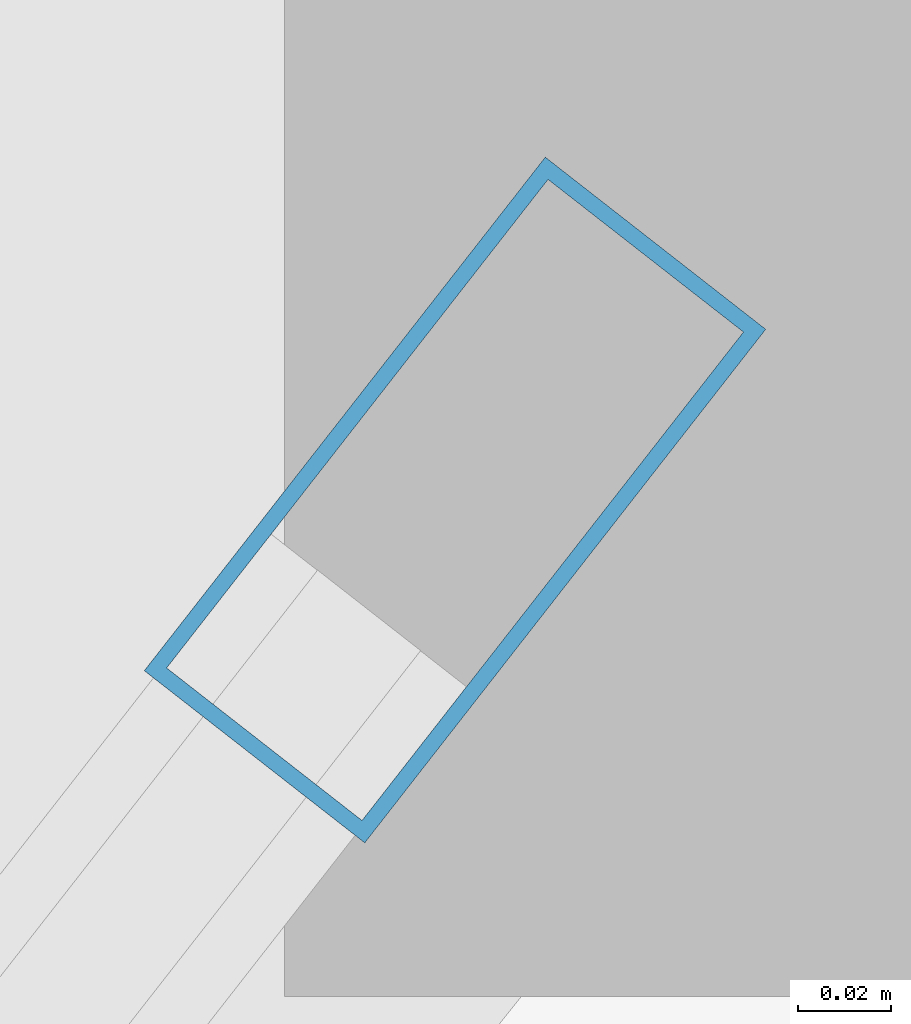
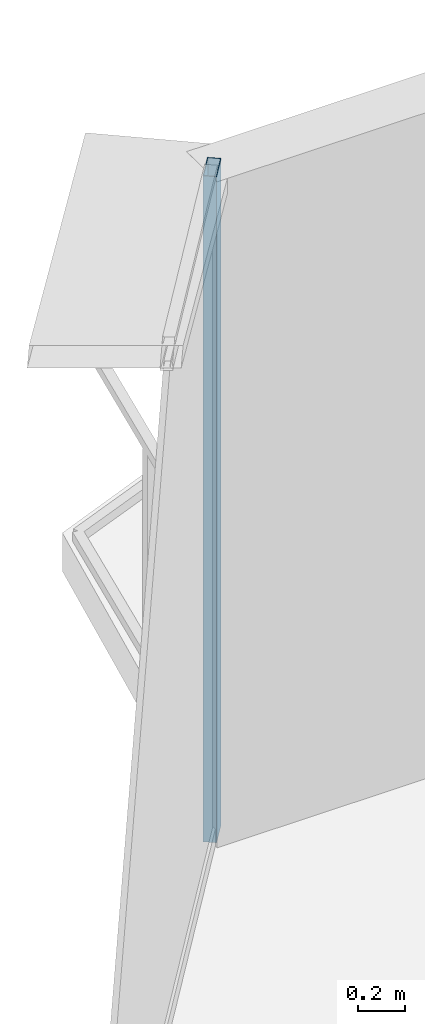
# One storey, part 21 of 37: 1 member, 1 element without a shape of its own.
"""IFC4 building model written with IfcOpenShell, lengths in metres."""

from ifc_helpers import new_model, si_unit, direction, frame, origin, origin_2d, place, context, subcontext, project, spatial, hollow_rectangle, extrude, source, transform, mapped, material, layer, layer_set, material_profile, profile_set, type_object, element, aggregate, save


model = new_model("IFC4")

# Units and contexts
model_context = context("Model", 3, precision=1e-05, world=origin(), true_north=direction((0.0, 1.0)))
body_context = subcontext(model_context, "Body", "Model", "MODEL_VIEW")
ifc_project = project(units=[si_unit("LENGTHUNIT", "METRE"), si_unit("AREAUNIT", "SQUARE_METRE"), si_unit("VOLUMEUNIT", "CUBIC_METRE"), si_unit("PLANEANGLEUNIT", "RADIAN"), si_unit("MASSUNIT", "GRAM", prefix="KILO"), si_unit("THERMODYNAMICTEMPERATUREUNIT", "KELVIN"), si_unit("POWERUNIT", "WATT")], contexts=[model_context])

# Site, building, storey
site_placement = place(None, origin())
site = spatial("IfcSite", under=ifc_project, at=site_placement, CompositionType="ELEMENT")
building_placement = place(site_placement, origin())
building = spatial("IfcBuilding", under=site, at=building_placement, Name="Yunzhuo Pagoda Commons", CompositionType="ELEMENT")
storey_placement = place(building_placement, frame((0.0, 0.0, 259.449951171875)))
storey = spatial("IfcBuildingStorey", under=building, at=storey_placement, Name="L65", CompositionType="ELEMENT", Elevation=259.449951171875)

# Curtain wall, member
ifc_material = material(Name="Anodized aluminium 6063-T6", Category="aluminium")
ifc_layer = layer(ifc_material, 0.139892578125)
ifc_layer_set = layer_set([ifc_layer], Name="Anodized aluminium 6063-T6")
curtain_wall_type = type_object("IfcCurtainWallType", Name="CW-HI High-Zone Ribbon Curtain Wall", PredefinedType="NOTDEFINED", material=ifc_layer_set)
curtain_wall_placement = place(storey_placement, origin())
curtain_wall = element("IfcCurtainWall", 1, at=curtain_wall_placement, inside=storey, type_object=curtain_wall_type, Name="L65 curtain wall CW-L65-F3B1", PredefinedType="NOTDEFINED")
ifc_material_profile = material_profile(ifc_material, hollow_rectangle(XDim=0.06005859375, YDim=0.139892578125, WallThickness=0.00341796875, at=origin_2d()), Name="Anodized aluminium 6063-T6")
ifc_profile_set = profile_set([ifc_material_profile], Name="Anodized aluminium 6063-T6")
member_type = type_object("IfcMemberType", Name="CW-HI-M Mullion RHS 140x60x3.5", PredefinedType="MULLION", material=ifc_profile_set)
shared_shape = source(origin(), body_context, "Body", "SweptSolid", [
    extrude(hollow_rectangle(XDim=0.06005859375, YDim=0.139892578125, WallThickness=0.00341796875, at=origin_2d()), origin(), (0.0, 0.0, 1.0), 3.469970703125),
])
member_placement = place(storey_placement, frame((44.210205078125, 78.773681640625, 0.0), z_axis=(0.0, 0.0, 1.0), x_axis=(0.788189580024, -0.615432519405, 0.0)))
member = element("IfcMember", 2, at=member_placement, type_object=member_type, Name="CW mullion 1", PredefinedType="MULLION", context=body_context, shape_type="MappedRepresentation", body=[
    mapped(shared_shape, transform((0.0, 0.0, 0.0), scale=1.0)),
])
aggregate(curtain_wall, [member])

save(model, "model.ifc")
